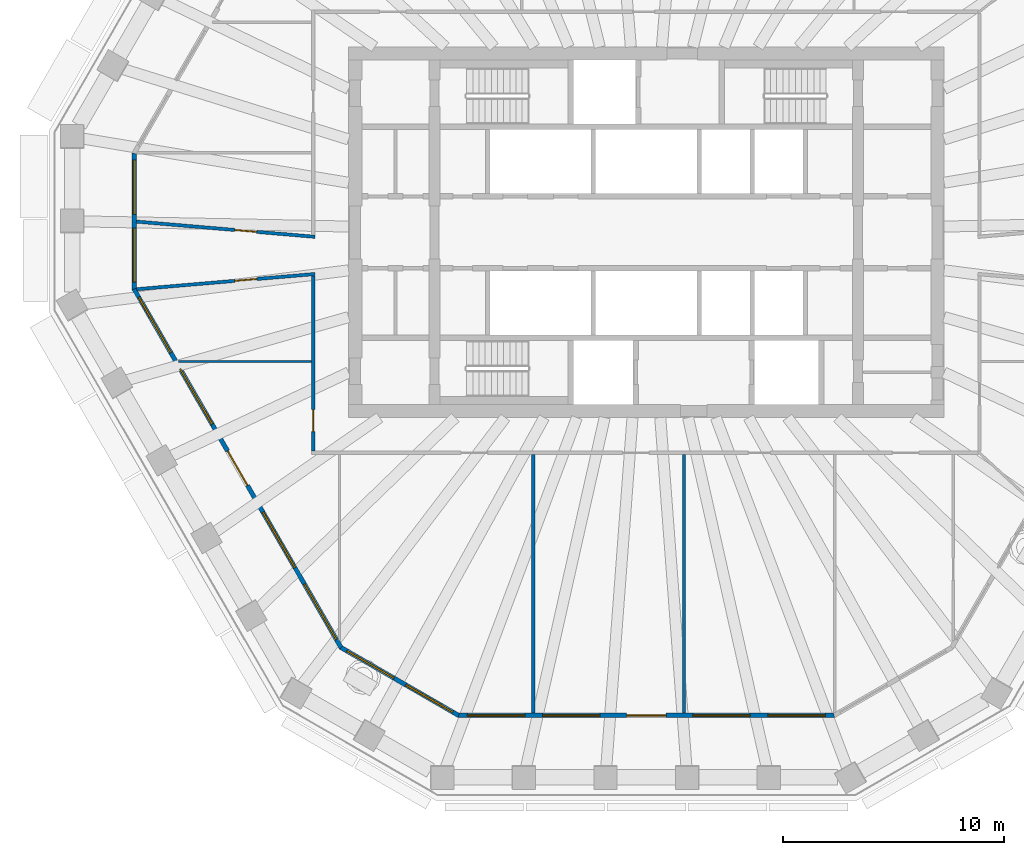
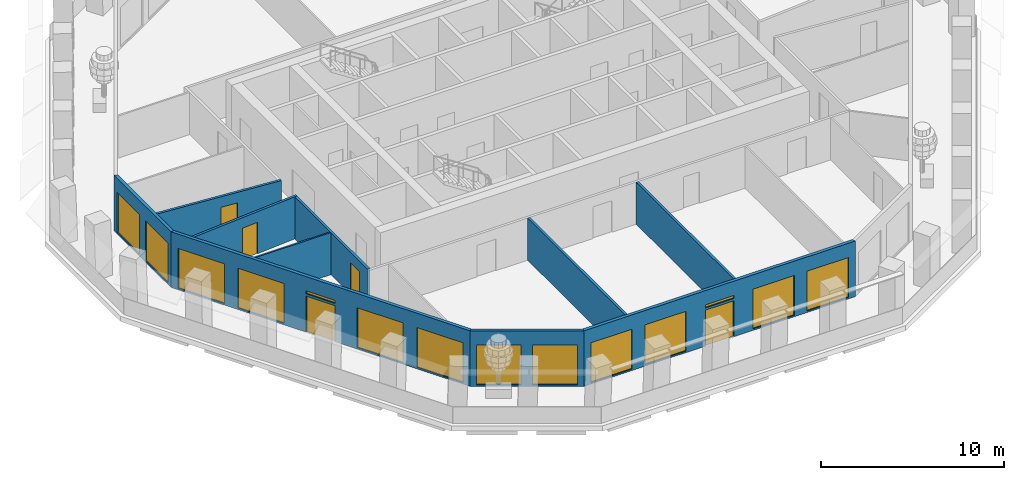
# One storey, part 3 of 12: 14 windows, 10 walls, 5 doors, 19 openings.
"""IFC4 building model written with IfcOpenShell, lengths in metres."""

from ifc_helpers import new_model, si_unit, direction, frame, frame_2d, origin, place, context, subcontext, project, spatial, polyline, rectangle, outline, extrude, material, layer, layer_set, type_object, element, fill, save


model = new_model("IFC4")

# Units and contexts
model_context = context("Model", 3, precision=1e-05, world=origin(), true_north=direction((0.0, 1.0)))
body_context = subcontext(model_context, "Body", "Model", "MODEL_VIEW")
ifc_project = project(units=[si_unit("LENGTHUNIT", "METRE"), si_unit("AREAUNIT", "SQUARE_METRE"), si_unit("VOLUMEUNIT", "CUBIC_METRE"), si_unit("PLANEANGLEUNIT", "RADIAN"), si_unit("MASSUNIT", "GRAM", prefix="KILO")], contexts=[model_context])

# Site, building, storey
site_placement = place(None, origin())
site = spatial("IfcSite", under=ifc_project, at=site_placement, CompositionType="ELEMENT")
building_placement = place(site_placement, origin())
building = spatial("IfcBuilding", under=site, at=building_placement, Name="Frailejon Research Tower", CompositionType="ELEMENT")
storey_placement = place(building_placement, frame((0.0, 0.0, 227.39990234375)))
storey = spatial("IfcBuildingStorey", under=building, at=storey_placement, Name="L49", CompositionType="ELEMENT", Elevation=227.39990234375)

# Wall, opening, door
ifc_material_1 = material(Name="Gypsum board and masonry partition", Category="masonry")
ifc_layer_1 = layer(ifc_material_1, 0.14990234375)
ifc_layer_set_1 = layer_set([ifc_layer_1], Name="Corridor wall EI 60, gypsum on steel studs 150")
wall_type_1 = type_object("IfcWallType", Name="Corridor wall EI 60, gypsum on steel studs 150", PredefinedType="PARTITIONING", material=ifc_layer_set_1)
wall_1_placement = place(storey_placement, frame((-15.10009765625, -9.925048828125, 0.0), z_axis=(0.0, 0.0, 1.0), x_axis=(0.0, 1.0, 0.0)))
wall_1 = element("IfcWall", 1, at=wall_1_placement, inside=storey, type_object=wall_type_1, Name="T:IW:L49:004", PredefinedType="PARTITIONING", context=body_context, shape_type="SweptSolid", body=[
    extrude(rectangle(XDim=7.951171875, YDim=0.14990234375, at=frame_2d((3.9755859375, 0.0))), origin(), (0.0, 0.0, 1.0), 2.800048828125),
])
opening_1_placement = place(wall_1_placement, frame((0.885009765625, 0.0, 0.0)))
opening_1 = element("IfcOpeningElement", 2, at=opening_1_placement, cuts=wall_1, Name="Opening D1998", PredefinedType="OPENING", context=body_context, shape_type="SweptSolid", body=[
    extrude(rectangle(XDim=1.0, YDim=2.10009765625, at=frame_2d((0.5, 1.050048828125))), frame((0.0, 0.0849609375, 0.0), z_axis=(0.0, -1.0, 0.0), x_axis=(1.0, 0.0, 0.0)), (0.0, 0.0, 1.0), 0.169921875),
])
ifc_material_2 = material(Name="Timber door leaf", Category="wood")
door_type_1 = type_object("IfcDoorType", Name="Door single leaf, timber, steel frame 1000", OperationType="NOTDEFINED", PredefinedType="DOOR", material=ifc_material_2)
door_1_placement = place(opening_1_placement, origin())
door_1 = element("IfcDoor", 3, at=door_1_placement, inside=storey, type_object=door_type_1, Name="D1998", OperationType="SINGLE_SWING_RIGHT", OverallHeight=2.10009765625, OverallWidth=1.0, PredefinedType="DOOR", context=body_context, shape_type="SweptSolid", body=[
    extrude(rectangle(XDim=1.0, YDim=2.10009765625, at=frame_2d((0.5, 1.050048828125))), frame((0.0, 0.02490234375, 0.0), z_axis=(0.0, -1.0, 0.0), x_axis=(1.0, 0.0, 0.0)), (0.0, 0.0, 1.0), 0.050048828125),
])
fill(opening_1, door_1)

wall_2_placement = place(storey_placement, frame((-23.124755859375, 0.48583984375, 0.0), z_axis=(0.0, 0.0, 1.0), x_axis=(0.996381249691, -0.084996501481, 0.0)))
wall_2 = element("IfcWall", 4, at=wall_2_placement, inside=storey, type_object=wall_type_1, Name="T:IW:L49:007", PredefinedType="PARTITIONING", context=body_context, shape_type="SweptSolid", body=[
    extrude(rectangle(XDim=8.128662109375, YDim=0.14990234375, at=frame_2d((4.064453125, 0.0))), origin(), (0.0, 0.0, 1.0), 2.800048828125),
])
opening_2_placement = place(wall_2_placement, frame((4.47998046875, 0.0, 0.0)))
opening_2 = element("IfcOpeningElement", 5, at=opening_2_placement, cuts=wall_2, Name="Opening D1996", PredefinedType="OPENING", context=body_context, shape_type="SweptSolid", body=[
    extrude(rectangle(XDim=1.0, YDim=2.10009765625, at=frame_2d((0.5, 1.050048828125))), frame((0.0, 0.0849609375, 0.0), z_axis=(0.0, -1.0, 0.0), x_axis=(1.0, 0.0, 0.0)), (0.0, 0.0, 1.0), 0.169921875),
])
door_2_placement = place(opening_2_placement, origin())
door_2 = element("IfcDoor", 6, at=door_2_placement, inside=storey, type_object=door_type_1, Name="D1996", OperationType="SINGLE_SWING_RIGHT", OverallHeight=2.10009765625, OverallWidth=1.0, PredefinedType="DOOR", context=body_context, shape_type="SweptSolid", body=[
    extrude(rectangle(XDim=1.0, YDim=2.10009765625, at=frame_2d((0.5, 1.050048828125))), frame((0.0, 0.02490234375, 0.0), z_axis=(0.0, -1.0, 0.0), x_axis=(1.0, 0.0, 0.0)), (0.0, 0.0, 1.0), 0.050048828125),
])
fill(opening_2, door_2)

wall_3_placement = place(storey_placement, frame((-23.1044921875, -2.581787109375, 0.0), z_axis=(0.0, 0.0, 1.0), x_axis=(0.9963784944, 0.085028794518, 0.0)))
wall_3 = element("IfcWall", 7, at=wall_3_placement, inside=storey, type_object=wall_type_1, Name="T:IW:L49:008", PredefinedType="PARTITIONING", context=body_context, shape_type="SweptSolid", body=[
    extrude(rectangle(XDim=8.1083984375, YDim=0.14990234375, at=frame_2d((4.05419921875, 0.0))), origin(), (0.0, 0.0, 1.0), 2.800048828125),
])
opening_3_placement = place(wall_3_placement, frame((4.466796875, 0.0, 0.0)))
opening_3 = element("IfcOpeningElement", 8, at=opening_3_placement, cuts=wall_3, Name="Opening D1997", PredefinedType="OPENING", context=body_context, shape_type="SweptSolid", body=[
    extrude(rectangle(XDim=1.0, YDim=2.10009765625, at=frame_2d((0.5, 1.050048828125))), frame((0.0, 0.0849609375, 0.0), z_axis=(0.0, -1.0, 0.0), x_axis=(1.0, 0.0, 0.0)), (0.0, 0.0, 1.0), 0.169921875),
])
door_3_placement = place(opening_3_placement, origin())
door_3 = element("IfcDoor", 9, at=door_3_placement, inside=storey, type_object=door_type_1, Name="D1997", OperationType="SINGLE_SWING_RIGHT", OverallHeight=2.10009765625, OverallWidth=1.0, PredefinedType="DOOR", context=body_context, shape_type="SweptSolid", body=[
    extrude(rectangle(XDim=1.0, YDim=2.10009765625, at=frame_2d((0.5, 1.050048828125))), frame((0.0, 0.02490234375, 0.0), z_axis=(0.0, -1.0, 0.0), x_axis=(1.0, 0.0, 0.0)), (0.0, 0.0, 1.0), 0.050048828125),
])
fill(opening_3, door_3)

# Walls
ifc_material_3 = material(Name="Gypsum board and masonry partition", Category="masonry")
ifc_layer_2 = layer(ifc_material_3, 0.14990234375)
ifc_layer_set_2 = layer_set([ifc_layer_2], Name="Laboratory partition, blockwork 150")
wall_type_2 = type_object("IfcWallType", Name="Laboratory partition, blockwork 150", PredefinedType="PARTITIONING", material=ifc_layer_set_2)
for number, where, z_axis, x_axis, name in (
    (10, (-5.12353515625, -21.802734375, 0.0), (0.0, 0.0, 1.0), (0.0, 1.0, 0.0), "T:IW:L49:011"),
    (11, (1.7080078125, -21.802734375, 0.0), (0.0, 0.0, 1.0), (0.0, 1.0, 0.0), "T:IW:L49:012"),
):
    element("IfcWall", number, at=place(storey_placement, frame(where, z_axis=z_axis, x_axis=x_axis)), inside=storey, type_object=wall_type_2, Name=name, PredefinedType="PARTITIONING", context=body_context, shape_type="SweptSolid", body=[
        extrude(rectangle(XDim=11.727783203125, YDim=0.14990234375, at=frame_2d((5.86376953125, 0.0))), origin(), (0.0, 0.0, 1.0), 2.800048828125),
    ])
ifc_material_4 = material(Name="Gypsum board and masonry partition", Category="masonry")
ifc_layer_3 = layer(ifc_material_4, 0.10009765625)
ifc_layer_set_3 = layer_set([ifc_layer_3], Name="Partition, gypsum on steel studs 100")
wall_type_3 = type_object("IfcWallType", Name="Partition, gypsum on steel studs 100", PredefinedType="PARTITIONING", material=ifc_layer_set_3)
wall_4_placement = place(storey_placement, frame((-21.211669921875, -5.8603515625, 0.0), z_axis=(0.0, 0.0, 1.0), x_axis=(1.0, 0.0, 0.0)))
element("IfcWall", 12, at=wall_4_placement, inside=storey, type_object=wall_type_3, Name="T:IW:L49:018", PredefinedType="PARTITIONING", context=body_context, shape_type="SweptSolid", body=[
    extrude(rectangle(XDim=6.03662109375, YDim=0.10009765625, at=frame_2d((3.018310546875, 0.0))), origin(), (0.0, 0.0, 1.0), 2.800048828125),
])

# Wall, openings, windows
ifc_material_5 = material(Name="Concrete C40/50 precast window wall panel", Category="concrete")
ifc_layer_4 = layer(ifc_material_5, 0.199951171875)
ifc_layer_set_4 = layer_set([ifc_layer_4], Name="Window wall 200")
wall_type_4 = type_object("IfcWallType", Name="Window wall 200", PredefinedType="SOLIDWALL", material=ifc_layer_set_4)
wall_5_placement = place(storey_placement, frame((-23.224609375, 3.579345703125, 0.0), z_axis=(0.0, 0.0, 1.0), x_axis=(0.0, -1.0, 0.0)))
wall_5 = element("IfcWall", 13, at=wall_5_placement, inside=storey, type_object=wall_type_4, Name="Exterior wall L49", PredefinedType="SOLIDWALL", context=body_context, shape_type="SweptSolid", body=[
    extrude(outline(polyline([(-0.02685546875, -0.10009765625), (1.007568359375, -0.10009765625), (2.0419921875, -0.10009765625), (3.076416015625, -0.10009765625), (4.11083984375, -0.10009765625), (5.145263671875, -0.10009765625), (6.1796875, -0.10009765625), (6.1259765625, 0.10009765625), (5.109375, 0.10009765625), (4.093017578125, 0.10009765625), (3.076416015625, 0.10009765625), (2.059814453125, 0.10009765625), (1.04345703125, 0.10009765625), (0.02685546875, 0.10009765625), (-0.02685546875, -0.10009765625)])), origin(), (0.0, 0.0, 1.0), 3.7001953125),
])
opening_4_placement = place(wall_5_placement, frame((0.313232421875, 0.0, 0.10009765625)))
opening_4 = element("IfcOpeningElement", 14, at=opening_4_placement, cuts=wall_5, Name="Opening W17", PredefinedType="OPENING", context=body_context, shape_type="SweptSolid", body=[
    extrude(rectangle(XDim=2.449951171875, YDim=2.64990234375, at=frame_2d((1.22509765625, 1.324951171875))), frame((0.0, 0.10986328125, 0.0), z_axis=(0.0, -1.0, 0.0), x_axis=(1.0, 0.0, 0.0)), (0.0, 0.0, 1.0), 0.219970703125),
])
opening_5_placement = place(wall_5_placement, frame((3.3896484375, 0.0, 0.10009765625)))
opening_5 = element("IfcOpeningElement", 15, at=opening_5_placement, cuts=wall_5, Name="Opening W17", PredefinedType="OPENING", context=body_context, shape_type="SweptSolid", body=[
    extrude(rectangle(XDim=2.449951171875, YDim=2.64990234375, at=frame_2d((1.22509765625, 1.324951171875))), frame((0.0, 0.10986328125, 0.0), z_axis=(0.0, -1.0, 0.0), x_axis=(1.0, 0.0, 0.0)), (0.0, 0.0, 1.0), 0.219970703125),
])
ifc_material_6 = material(Name="Aluminium framed double glazing", Category="aluminium")
window_type_1 = type_object("IfcWindowType", Name="Window 2450x2650", PartitioningType="SINGLE_PANEL", PredefinedType="WINDOW", material=ifc_material_6)
window_1_placement = place(opening_4_placement, origin())
window_1 = element("IfcWindow", 16, at=window_1_placement, inside=storey, type_object=window_type_1, Name="Window L49", OverallHeight=2.64990234375, OverallWidth=2.449951171875, PartitioningType="SINGLE_PANEL", PredefinedType="WINDOW", context=body_context, shape_type="SweptSolid", body=[
    extrude(rectangle(XDim=2.449951171875, YDim=2.64990234375, at=frame_2d((1.22509765625, 1.324951171875))), frame((0.0, 0.030029296875, 0.0), z_axis=(0.0, -1.0, 0.0), x_axis=(1.0, 0.0, 0.0)), (0.0, 0.0, 1.0), 0.06005859375),
])
fill(opening_4, window_1)
window_2_placement = place(opening_5_placement, origin())
window_2 = element("IfcWindow", 17, at=window_2_placement, inside=storey, type_object=window_type_1, Name="Window L49", OverallHeight=2.64990234375, OverallWidth=2.449951171875, PartitioningType="SINGLE_PANEL", PredefinedType="WINDOW", context=body_context, shape_type="SweptSolid", body=[
    extrude(rectangle(XDim=2.449951171875, YDim=2.64990234375, at=frame_2d((1.22509765625, 1.324951171875))), frame((0.0, 0.030029296875, 0.0), z_axis=(0.0, -1.0, 0.0), x_axis=(1.0, 0.0, 0.0)), (0.0, 0.0, 1.0), 0.06005859375),
])
fill(opening_5, window_2)

# Wall, openings, door, windows
wall_6_placement = place(storey_placement, frame((-23.224609375, -2.573486328125, 0.0), z_axis=(0.0, 0.0, 1.0), x_axis=(0.499986710104, -0.866033076574, 0.0)))
wall_6 = element("IfcWall", 18, at=wall_6_placement, inside=storey, type_object=wall_type_4, Name="Exterior wall L49", PredefinedType="SOLIDWALL", context=body_context, shape_type="SweptSolid", body=[
    extrude(outline(polyline([(-0.02685546875, -0.10009765625), (1.018798828125, -0.10009765625), (2.064453125, -0.10009765625), (3.10986328125, -0.10009765625), (4.155517578125, -0.10009765625), (5.201171875, -0.10009765625), (6.246826171875, -0.10009765625), (7.292236328125, -0.10009765625), (8.337890625, -0.10009765625), (9.383544921875, -0.10009765625), (10.42919921875, -0.10009765625), (11.474853515625, -0.10009765625), (12.520263671875, -0.10009765625), (13.56591796875, -0.10009765625), (14.611572265625, -0.10009765625), (15.6572265625, -0.10009765625), (16.70263671875, -0.10009765625), (17.748291015625, -0.10009765625), (18.7939453125, -0.10009765625), (18.740234375, 0.10009765625), (17.70068359375, 0.10009765625), (16.660888671875, 0.10009765625), (15.621337890625, 0.10009765625), (14.581787109375, 0.10009765625), (13.5419921875, 0.10009765625), (12.50244140625, 0.10009765625), (11.462890625, 0.10009765625), (10.423095703125, 0.10009765625), (9.383544921875, 0.10009765625), (8.343994140625, 0.10009765625), (7.30419921875, 0.10009765625), (6.2646484375, 0.10009765625), (5.22509765625, 0.10009765625), (4.185302734375, 0.10009765625), (3.145751953125, 0.10009765625), (2.106201171875, 0.10009765625), (1.06640625, 0.10009765625), (0.02685546875, 0.10009765625), (-0.02685546875, -0.10009765625)])), origin(), (0.0, 0.0, 1.0), 3.7001953125),
])
opening_6_placement = place(wall_6_placement, frame((0.4267578125, 0.0, 0.10009765625)))
opening_6 = element("IfcOpeningElement", 19, at=opening_6_placement, cuts=wall_6, Name="Opening W20", PredefinedType="OPENING", context=body_context, shape_type="SweptSolid", body=[
    extrude(rectangle(XDim=2.89990234375, YDim=2.64990234375, at=frame_2d((1.449951171875, 1.324951171875))), frame((0.0, 0.10986328125, 0.0), z_axis=(0.0, -1.0, 0.0), x_axis=(1.0, 0.0, 0.0)), (0.0, 0.0, 1.0), 0.219970703125),
])
opening_7_placement = place(wall_6_placement, frame((4.18017578125, 0.0, 0.10009765625)))
opening_7 = element("IfcOpeningElement", 20, at=opening_7_placement, cuts=wall_6, Name="Opening W20", PredefinedType="OPENING", context=body_context, shape_type="SweptSolid", body=[
    extrude(rectangle(XDim=2.89990234375, YDim=2.64990234375, at=frame_2d((1.449951171875, 1.324951171875))), frame((0.0, 0.10986328125, 0.0), z_axis=(0.0, -1.0, 0.0), x_axis=(1.0, 0.0, 0.0)), (0.0, 0.0, 1.0), 0.219970703125),
])
opening_8_placement = place(wall_6_placement, frame((8.4833984375, 0.0, 0.0)))
opening_8 = element("IfcOpeningElement", 21, at=opening_8_placement, cuts=wall_6, Name="Opening LG49-4", PredefinedType="OPENING", context=body_context, shape_type="SweptSolid", body=[
    extrude(rectangle(XDim=1.800048828125, YDim=2.39990234375, at=frame_2d((0.89990234375, 1.199951171875))), frame((0.0, 0.10986328125, 0.0), z_axis=(0.0, -1.0, 0.0), x_axis=(1.0, 0.0, 0.0)), (0.0, 0.0, 1.0), 0.219970703125),
])
opening_9_placement = place(wall_6_placement, frame((8.4833984375, 0.0, 2.550048828125)))
opening_9 = element("IfcOpeningElement", 22, at=opening_9_placement, cuts=wall_6, Name="Opening W19", PredefinedType="OPENING", context=body_context, shape_type="SweptSolid", body=[
    extrude(rectangle(XDim=1.800048828125, YDim=0.199951171875, at=frame_2d((0.89990234375, 0.10009765625))), frame((0.0, 0.10986328125, 0.0), z_axis=(0.0, -1.0, 0.0), x_axis=(1.0, 0.0, 0.0)), (0.0, 0.0, 1.0), 0.219970703125),
])
opening_10_placement = place(wall_6_placement, frame((11.68701171875, 0.0, 0.10009765625)))
opening_10 = element("IfcOpeningElement", 23, at=opening_10_placement, cuts=wall_6, Name="Opening W20", PredefinedType="OPENING", context=body_context, shape_type="SweptSolid", body=[
    extrude(rectangle(XDim=2.89990234375, YDim=2.64990234375, at=frame_2d((1.449951171875, 1.324951171875))), frame((0.0, 0.10986328125, 0.0), z_axis=(0.0, -1.0, 0.0), x_axis=(1.0, 0.0, 0.0)), (0.0, 0.0, 1.0), 0.219970703125),
])
opening_11_placement = place(wall_6_placement, frame((15.440185546875, 0.0, 0.10009765625)))
opening_11 = element("IfcOpeningElement", 24, at=opening_11_placement, cuts=wall_6, Name="Opening W20", PredefinedType="OPENING", context=body_context, shape_type="SweptSolid", body=[
    extrude(rectangle(XDim=2.89990234375, YDim=2.64990234375, at=frame_2d((1.449951171875, 1.324951171875))), frame((0.0, 0.10986328125, 0.0), z_axis=(0.0, -1.0, 0.0), x_axis=(1.0, 0.0, 0.0)), (0.0, 0.0, 1.0), 0.219970703125),
])
ifc_material_7 = material(Name="Aluminium framed glazed door leaf", Category="aluminium")
door_type_2 = type_object("IfcDoorType", Name="Loggia door 1800x2400", OperationType="DOUBLE_DOOR_SINGLE_SWING", PredefinedType="DOOR", material=ifc_material_7)
door_4_placement = place(opening_8_placement, origin())
door_4 = element("IfcDoor", 25, at=door_4_placement, inside=storey, type_object=door_type_2, Name="Door LG49-4", OperationType="DOUBLE_DOOR_SINGLE_SWING", OverallHeight=2.39990234375, OverallWidth=1.800048828125, PredefinedType="DOOR", context=body_context, shape_type="SweptSolid", body=[
    extrude(rectangle(XDim=1.800048828125, YDim=2.39990234375, at=frame_2d((0.89990234375, 1.199951171875))), frame((0.0, 0.02490234375, 0.0), z_axis=(0.0, -1.0, 0.0), x_axis=(1.0, 0.0, 0.0)), (0.0, 0.0, 1.0), 0.050048828125),
])
fill(opening_8, door_4)
ifc_material_8 = material(Name="Aluminium framed double glazing", Category="aluminium")
window_type_2 = type_object("IfcWindowType", Name="Window 1800x200", PartitioningType="SINGLE_PANEL", PredefinedType="WINDOW", material=ifc_material_8)
window_3_placement = place(opening_9_placement, origin())
window_3 = element("IfcWindow", 26, at=window_3_placement, inside=storey, type_object=window_type_2, Name="Window L49", OverallHeight=0.199951171875, OverallWidth=1.800048828125, PartitioningType="SINGLE_PANEL", PredefinedType="WINDOW", context=body_context, shape_type="SweptSolid", body=[
    extrude(rectangle(XDim=1.800048828125, YDim=0.199951171875, at=frame_2d((0.89990234375, 0.10009765625))), frame((0.0, 0.030029296875, 0.0), z_axis=(0.0, -1.0, 0.0), x_axis=(1.0, 0.0, 0.0)), (0.0, 0.0, 1.0), 0.06005859375),
])
fill(opening_9, window_3)
ifc_material_9 = material(Name="Aluminium framed double glazing", Category="aluminium")
window_type_3 = type_object("IfcWindowType", Name="Window 2900x2650", PartitioningType="SINGLE_PANEL", PredefinedType="WINDOW", material=ifc_material_9)
window_4_placement = place(opening_6_placement, origin())
window_4 = element("IfcWindow", 27, at=window_4_placement, inside=storey, type_object=window_type_3, Name="Window L49", OverallHeight=2.64990234375, OverallWidth=2.89990234375, PartitioningType="SINGLE_PANEL", PredefinedType="WINDOW", context=body_context, shape_type="SweptSolid", body=[
    extrude(rectangle(XDim=2.89990234375, YDim=2.64990234375, at=frame_2d((1.449951171875, 1.324951171875))), frame((0.0, 0.030029296875, 0.0), z_axis=(0.0, -1.0, 0.0), x_axis=(1.0, 0.0, 0.0)), (0.0, 0.0, 1.0), 0.06005859375),
])
fill(opening_6, window_4)
window_5_placement = place(opening_7_placement, origin())
window_5 = element("IfcWindow", 28, at=window_5_placement, inside=storey, type_object=window_type_3, Name="Window L49", OverallHeight=2.64990234375, OverallWidth=2.89990234375, PartitioningType="SINGLE_PANEL", PredefinedType="WINDOW", context=body_context, shape_type="SweptSolid", body=[
    extrude(rectangle(XDim=2.89990234375, YDim=2.64990234375, at=frame_2d((1.449951171875, 1.324951171875))), frame((0.0, 0.030029296875, 0.0), z_axis=(0.0, -1.0, 0.0), x_axis=(1.0, 0.0, 0.0)), (0.0, 0.0, 1.0), 0.06005859375),
])
fill(opening_7, window_5)
window_6_placement = place(opening_10_placement, origin())
window_6 = element("IfcWindow", 29, at=window_6_placement, inside=storey, type_object=window_type_3, Name="Window L49", OverallHeight=2.64990234375, OverallWidth=2.89990234375, PartitioningType="SINGLE_PANEL", PredefinedType="WINDOW", context=body_context, shape_type="SweptSolid", body=[
    extrude(rectangle(XDim=2.89990234375, YDim=2.64990234375, at=frame_2d((1.449951171875, 1.324951171875))), frame((0.0, 0.030029296875, 0.0), z_axis=(0.0, -1.0, 0.0), x_axis=(1.0, 0.0, 0.0)), (0.0, 0.0, 1.0), 0.06005859375),
])
fill(opening_10, window_6)
window_7_placement = place(opening_11_placement, origin())
window_7 = element("IfcWindow", 30, at=window_7_placement, inside=storey, type_object=window_type_3, Name="Window L49", OverallHeight=2.64990234375, OverallWidth=2.89990234375, PartitioningType="SINGLE_PANEL", PredefinedType="WINDOW", context=body_context, shape_type="SweptSolid", body=[
    extrude(rectangle(XDim=2.89990234375, YDim=2.64990234375, at=frame_2d((1.449951171875, 1.324951171875))), frame((0.0, 0.030029296875, 0.0), z_axis=(0.0, -1.0, 0.0), x_axis=(1.0, 0.0, 0.0)), (0.0, 0.0, 1.0), 0.06005859375),
])
fill(opening_11, window_7)

# Wall, openings, windows
wall_7_placement = place(storey_placement, frame((-13.84130859375, -18.826416015625, 0.0), z_axis=(0.0, 0.0, 1.0), x_axis=(0.866029647142, -0.499992650217, 0.0)))
wall_7 = element("IfcWall", 31, at=wall_7_placement, inside=storey, type_object=wall_type_4, Name="Exterior wall L49", PredefinedType="SOLIDWALL", context=body_context, shape_type="SweptSolid", body=[
    extrude(outline(polyline([(-0.02685546875, -0.10009765625), (1.007568359375, -0.10009765625), (2.0419921875, -0.10009765625), (3.076416015625, -0.10009765625), (4.11083984375, -0.10009765625), (5.145263671875, -0.10009765625), (6.1796875, -0.10009765625), (6.1259765625, 0.10009765625), (5.109375, 0.10009765625), (4.093017578125, 0.10009765625), (3.076416015625, 0.10009765625), (2.059814453125, 0.10009765625), (1.04345703125, 0.10009765625), (0.02685546875, 0.10009765625), (-0.02685546875, -0.10009765625)])), origin(), (0.0, 0.0, 1.0), 3.7001953125),
])
opening_12_placement = place(wall_7_placement, frame((0.313232421875, 0.0, 0.10009765625)))
opening_12 = element("IfcOpeningElement", 32, at=opening_12_placement, cuts=wall_7, Name="Opening W17", PredefinedType="OPENING", context=body_context, shape_type="SweptSolid", body=[
    extrude(rectangle(XDim=2.449951171875, YDim=2.64990234375, at=frame_2d((1.22509765625, 1.324951171875))), frame((0.0, 0.10986328125, 0.0), z_axis=(0.0, -1.0, 0.0), x_axis=(1.0, 0.0, 0.0)), (0.0, 0.0, 1.0), 0.219970703125),
])
opening_13_placement = place(wall_7_placement, frame((3.3896484375, 0.0, 0.10009765625)))
opening_13 = element("IfcOpeningElement", 33, at=opening_13_placement, cuts=wall_7, Name="Opening W17", PredefinedType="OPENING", context=body_context, shape_type="SweptSolid", body=[
    extrude(rectangle(XDim=2.449951171875, YDim=2.64990234375, at=frame_2d((1.22509765625, 1.324951171875))), frame((0.0, 0.10986328125, 0.0), z_axis=(0.0, -1.0, 0.0), x_axis=(1.0, 0.0, 0.0)), (0.0, 0.0, 1.0), 0.219970703125),
])
window_8_placement = place(opening_12_placement, origin())
window_8 = element("IfcWindow", 34, at=window_8_placement, inside=storey, type_object=window_type_1, Name="Window L49", OverallHeight=2.64990234375, OverallWidth=2.449951171875, PartitioningType="SINGLE_PANEL", PredefinedType="WINDOW", context=body_context, shape_type="SweptSolid", body=[
    extrude(rectangle(XDim=2.449951171875, YDim=2.64990234375, at=frame_2d((1.22509765625, 1.324951171875))), frame((0.0, 0.030029296875, 0.0), z_axis=(0.0, -1.0, 0.0), x_axis=(1.0, 0.0, 0.0)), (0.0, 0.0, 1.0), 0.06005859375),
])
fill(opening_12, window_8)
window_9_placement = place(opening_13_placement, origin())
window_9 = element("IfcWindow", 35, at=window_9_placement, inside=storey, type_object=window_type_1, Name="Window L49", OverallHeight=2.64990234375, OverallWidth=2.449951171875, PartitioningType="SINGLE_PANEL", PredefinedType="WINDOW", context=body_context, shape_type="SweptSolid", body=[
    extrude(rectangle(XDim=2.449951171875, YDim=2.64990234375, at=frame_2d((1.22509765625, 1.324951171875))), frame((0.0, 0.030029296875, 0.0), z_axis=(0.0, -1.0, 0.0), x_axis=(1.0, 0.0, 0.0)), (0.0, 0.0, 1.0), 0.06005859375),
])
fill(opening_13, window_9)

# Wall, openings, door, windows
wall_8_placement = place(storey_placement, frame((-8.5126953125, -21.90283203125, 0.0), z_axis=(0.0, 0.0, 1.0), x_axis=(1.0, 0.0, 0.0)))
wall_8 = element("IfcWall", 36, at=wall_8_placement, inside=storey, type_object=wall_type_4, Name="Exterior wall L49", PredefinedType="SOLIDWALL", context=body_context, shape_type="SweptSolid", body=[
    extrude(outline(polyline([(-0.02685546875, -0.10009765625), (0.977783203125, -0.10009765625), (1.982421875, -0.10009765625), (2.987060546875, -0.10009765625), (3.99169921875, -0.10009765625), (4.996337890625, -0.10009765625), (6.0009765625, -0.10009765625), (7.005615234375, -0.10009765625), (8.01025390625, -0.10009765625), (9.01513671875, -0.10009765625), (10.019775390625, -0.10009765625), (11.0244140625, -0.10009765625), (12.029052734375, -0.10009765625), (13.03369140625, -0.10009765625), (14.038330078125, -0.10009765625), (15.04296875, -0.10009765625), (16.047607421875, -0.10009765625), (17.05224609375, -0.10009765625), (16.99853515625, 0.10009765625), (16.000244140625, 0.10009765625), (15.001953125, 0.10009765625), (14.00341796875, 0.10009765625), (13.005126953125, 0.10009765625), (12.0068359375, 0.10009765625), (11.008544921875, 0.10009765625), (10.01025390625, 0.10009765625), (9.011962890625, 0.10009765625), (8.013427734375, 0.10009765625), (7.01513671875, 0.10009765625), (6.016845703125, 0.10009765625), (5.0185546875, 0.10009765625), (4.020263671875, 0.10009765625), (3.02197265625, 0.10009765625), (2.0234375, 0.10009765625), (1.025146484375, 0.10009765625), (0.02685546875, 0.10009765625), (-0.02685546875, -0.10009765625)])), origin(), (0.0, 0.0, 1.0), 3.7001953125),
])
opening_14_placement = place(wall_8_placement, frame((0.402587890625, 0.0, 0.10009765625)))
opening_14 = element("IfcOpeningElement", 37, at=opening_14_placement, cuts=wall_8, Name="Opening W18", PredefinedType="OPENING", context=body_context, shape_type="SweptSolid", body=[
    extrude(rectangle(XDim=2.60009765625, YDim=2.64990234375, at=frame_2d((1.300048828125, 1.324951171875))), frame((0.0, 0.10986328125, 0.0), z_axis=(0.0, -1.0, 0.0), x_axis=(1.0, 0.0, 0.0)), (0.0, 0.0, 1.0), 0.219970703125),
])
opening_15_placement = place(wall_8_placement, frame((3.8076171875, 0.0, 0.10009765625)))
opening_15 = element("IfcOpeningElement", 38, at=opening_15_placement, cuts=wall_8, Name="Opening W18", PredefinedType="OPENING", context=body_context, shape_type="SweptSolid", body=[
    extrude(rectangle(XDim=2.60009765625, YDim=2.64990234375, at=frame_2d((1.300048828125, 1.324951171875))), frame((0.0, 0.10986328125, 0.0), z_axis=(0.0, -1.0, 0.0), x_axis=(1.0, 0.0, 0.0)), (0.0, 0.0, 1.0), 0.219970703125),
])
opening_16_placement = place(wall_8_placement, frame((7.612548828125, 0.0, 0.0)))
opening_16 = element("IfcOpeningElement", 39, at=opening_16_placement, cuts=wall_8, Name="Opening LG49-5", PredefinedType="OPENING", context=body_context, shape_type="SweptSolid", body=[
    extrude(rectangle(XDim=1.800048828125, YDim=2.39990234375, at=frame_2d((0.89990234375, 1.199951171875))), frame((0.0, 0.10986328125, 0.0), z_axis=(0.0, -1.0, 0.0), x_axis=(1.0, 0.0, 0.0)), (0.0, 0.0, 1.0), 0.219970703125),
])
opening_17_placement = place(wall_8_placement, frame((7.612548828125, 0.0, 2.550048828125)))
opening_17 = element("IfcOpeningElement", 40, at=opening_17_placement, cuts=wall_8, Name="Opening W19", PredefinedType="OPENING", context=body_context, shape_type="SweptSolid", body=[
    extrude(rectangle(XDim=1.800048828125, YDim=0.199951171875, at=frame_2d((0.89990234375, 0.10009765625))), frame((0.0, 0.10986328125, 0.0), z_axis=(0.0, -1.0, 0.0), x_axis=(1.0, 0.0, 0.0)), (0.0, 0.0, 1.0), 0.219970703125),
])
opening_18_placement = place(wall_8_placement, frame((10.61767578125, 0.0, 0.10009765625)))
opening_18 = element("IfcOpeningElement", 41, at=opening_18_placement, cuts=wall_8, Name="Opening W18", PredefinedType="OPENING", context=body_context, shape_type="SweptSolid", body=[
    extrude(rectangle(XDim=2.60009765625, YDim=2.64990234375, at=frame_2d((1.300048828125, 1.324951171875))), frame((0.0, 0.10986328125, 0.0), z_axis=(0.0, -1.0, 0.0), x_axis=(1.0, 0.0, 0.0)), (0.0, 0.0, 1.0), 0.219970703125),
])
opening_19_placement = place(wall_8_placement, frame((14.022705078125, 0.0, 0.10009765625)))
opening_19 = element("IfcOpeningElement", 42, at=opening_19_placement, cuts=wall_8, Name="Opening W18", PredefinedType="OPENING", context=body_context, shape_type="SweptSolid", body=[
    extrude(rectangle(XDim=2.60009765625, YDim=2.64990234375, at=frame_2d((1.300048828125, 1.324951171875))), frame((0.0, 0.10986328125, 0.0), z_axis=(0.0, -1.0, 0.0), x_axis=(1.0, 0.0, 0.0)), (0.0, 0.0, 1.0), 0.219970703125),
])
door_5_placement = place(opening_16_placement, origin())
door_5 = element("IfcDoor", 43, at=door_5_placement, inside=storey, type_object=door_type_2, Name="Door LG49-5", OperationType="DOUBLE_DOOR_SINGLE_SWING", OverallHeight=2.39990234375, OverallWidth=1.800048828125, PredefinedType="DOOR", context=body_context, shape_type="SweptSolid", body=[
    extrude(rectangle(XDim=1.800048828125, YDim=2.39990234375, at=frame_2d((0.89990234375, 1.199951171875))), frame((0.0, 0.02490234375, 0.0), z_axis=(0.0, -1.0, 0.0), x_axis=(1.0, 0.0, 0.0)), (0.0, 0.0, 1.0), 0.050048828125),
])
fill(opening_16, door_5)
window_10_placement = place(opening_17_placement, origin())
window_10 = element("IfcWindow", 44, at=window_10_placement, inside=storey, type_object=window_type_2, Name="Window L49", OverallHeight=0.199951171875, OverallWidth=1.800048828125, PartitioningType="SINGLE_PANEL", PredefinedType="WINDOW", context=body_context, shape_type="SweptSolid", body=[
    extrude(rectangle(XDim=1.800048828125, YDim=0.199951171875, at=frame_2d((0.89990234375, 0.10009765625))), frame((0.0, 0.030029296875, 0.0), z_axis=(0.0, -1.0, 0.0), x_axis=(1.0, 0.0, 0.0)), (0.0, 0.0, 1.0), 0.06005859375),
])
fill(opening_17, window_10)
ifc_material_10 = material(Name="Aluminium framed double glazing", Category="aluminium")
window_type_4 = type_object("IfcWindowType", Name="Window 2600x2650", PartitioningType="SINGLE_PANEL", PredefinedType="WINDOW", material=ifc_material_10)
window_11_placement = place(opening_14_placement, origin())
window_11 = element("IfcWindow", 45, at=window_11_placement, inside=storey, type_object=window_type_4, Name="Window L49", OverallHeight=2.64990234375, OverallWidth=2.60009765625, PartitioningType="SINGLE_PANEL", PredefinedType="WINDOW", context=body_context, shape_type="SweptSolid", body=[
    extrude(rectangle(XDim=2.60009765625, YDim=2.64990234375, at=frame_2d((1.300048828125, 1.324951171875))), frame((0.0, 0.030029296875, 0.0), z_axis=(0.0, -1.0, 0.0), x_axis=(1.0, 0.0, 0.0)), (0.0, 0.0, 1.0), 0.06005859375),
])
fill(opening_14, window_11)
window_12_placement = place(opening_15_placement, origin())
window_12 = element("IfcWindow", 46, at=window_12_placement, inside=storey, type_object=window_type_4, Name="Window L49", OverallHeight=2.64990234375, OverallWidth=2.60009765625, PartitioningType="SINGLE_PANEL", PredefinedType="WINDOW", context=body_context, shape_type="SweptSolid", body=[
    extrude(rectangle(XDim=2.60009765625, YDim=2.64990234375, at=frame_2d((1.300048828125, 1.324951171875))), frame((0.0, 0.030029296875, 0.0), z_axis=(0.0, -1.0, 0.0), x_axis=(1.0, 0.0, 0.0)), (0.0, 0.0, 1.0), 0.06005859375),
])
fill(opening_15, window_12)
window_13_placement = place(opening_18_placement, origin())
window_13 = element("IfcWindow", 47, at=window_13_placement, inside=storey, type_object=window_type_4, Name="Window L49", OverallHeight=2.64990234375, OverallWidth=2.60009765625, PartitioningType="SINGLE_PANEL", PredefinedType="WINDOW", context=body_context, shape_type="SweptSolid", body=[
    extrude(rectangle(XDim=2.60009765625, YDim=2.64990234375, at=frame_2d((1.300048828125, 1.324951171875))), frame((0.0, 0.030029296875, 0.0), z_axis=(0.0, -1.0, 0.0), x_axis=(1.0, 0.0, 0.0)), (0.0, 0.0, 1.0), 0.06005859375),
])
fill(opening_18, window_13)
window_14_placement = place(opening_19_placement, origin())
window_14 = element("IfcWindow", 48, at=window_14_placement, inside=storey, type_object=window_type_4, Name="Window L49", OverallHeight=2.64990234375, OverallWidth=2.60009765625, PartitioningType="SINGLE_PANEL", PredefinedType="WINDOW", context=body_context, shape_type="SweptSolid", body=[
    extrude(rectangle(XDim=2.60009765625, YDim=2.64990234375, at=frame_2d((1.300048828125, 1.324951171875))), frame((0.0, 0.030029296875, 0.0), z_axis=(0.0, -1.0, 0.0), x_axis=(1.0, 0.0, 0.0)), (0.0, 0.0, 1.0), 0.06005859375),
])
fill(opening_19, window_14)

save(model, "model.ifc")
